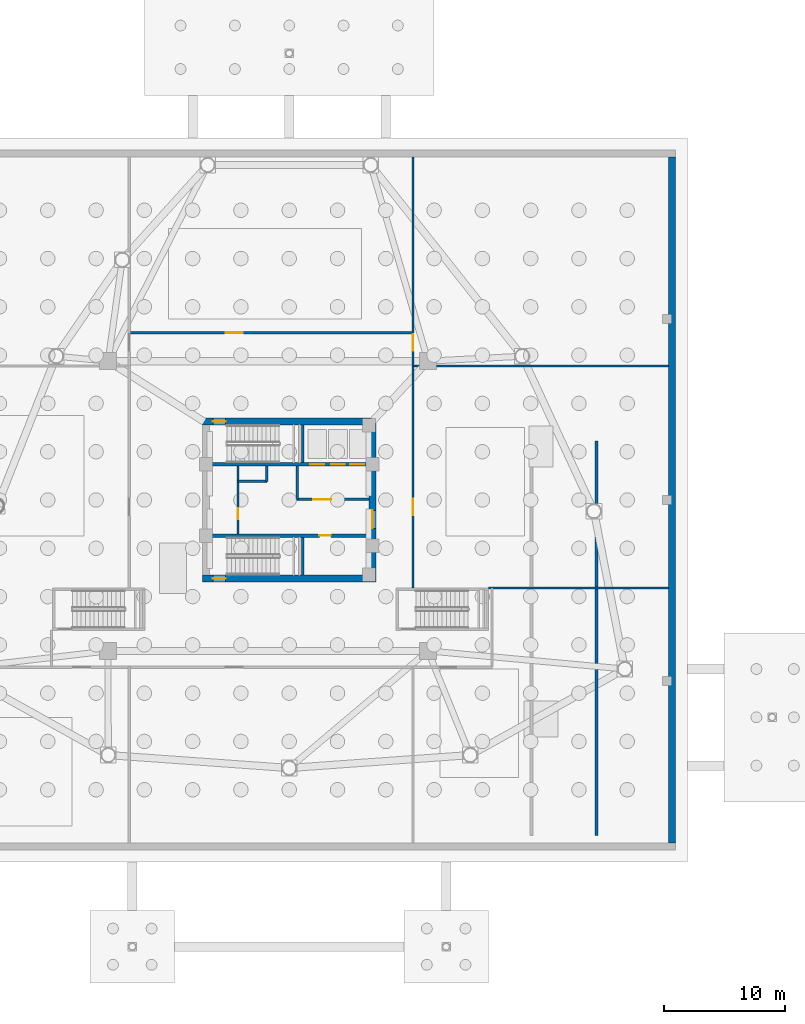
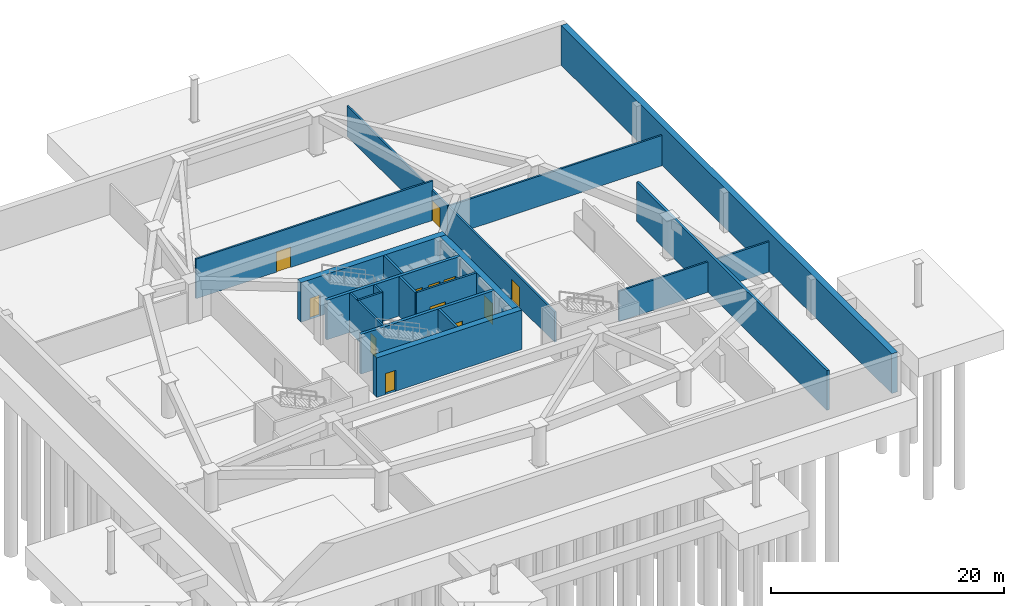
# One storey, part 7 of 11: 19 walls, 12 doors, 12 openings.
"""IFC4 building model written with IfcOpenShell, lengths in metres."""

from ifc_helpers import new_model, si_unit, direction, frame, frame_2d, origin, place, context, subcontext, project, spatial, rectangle, extrude, material, layer, layer_set, type_object, element, fill, save


model = new_model("IFC4")

# Units and contexts
model_context = context("Model", 3, precision=1e-05, world=origin(), true_north=direction((0.0, 1.0)))
body_context = subcontext(model_context, "Body", "Model", "MODEL_VIEW")
ifc_project = project(units=[si_unit("LENGTHUNIT", "METRE"), si_unit("AREAUNIT", "SQUARE_METRE"), si_unit("VOLUMEUNIT", "CUBIC_METRE"), si_unit("PLANEANGLEUNIT", "RADIAN"), si_unit("MASSUNIT", "GRAM", prefix="KILO")], contexts=[model_context])

# Site, building, storey
site_placement = place(None, origin())
site = spatial("IfcSite", under=ifc_project, at=site_placement, CompositionType="ELEMENT")
building_placement = place(site_placement, origin())
building = spatial("IfcBuilding", under=site, at=building_placement, Name="Tavelor Broadcast Tower", CompositionType="ELEMENT")
storey_placement = place(building_placement, frame((0.0, 0.0, -8.699951171875)))
storey = spatial("IfcBuildingStorey", under=building, at=storey_placement, Name="B02", CompositionType="ELEMENT", Elevation=-8.699951171875)

# Wall
ifc_material_1 = material(Name="Concrete C40/50", Category="concrete")
ifc_layer_1 = layer(ifc_material_1, 0.60009765625)
ifc_layer_set_1 = layer_set([ifc_layer_1], Name="Concrete C40/50")
wall_type_1 = type_object("IfcWallType", Name="Basement Retaining Wall 600 mm", PredefinedType="USERDEFINED", material=ifc_layer_set_1)
wall_1_placement = place(storey_placement, frame((81.699951171875, 16.60009765625, 0.0), z_axis=(0.0, 0.0, 1.0), x_axis=(0.0, 1.0, 0.0)))
element("IfcWall", 1, at=wall_1_placement, inside=storey, type_object=wall_type_1, Name="B02 Basement Retaining Wall E 600 mm", ObjectType="RETAINING WALL", PredefinedType="USERDEFINED", context=body_context, shape_type="SweptSolid", body=[
    extrude(rectangle(XDim=56.7998046875, YDim=0.60009765625, at=frame_2d((28.39990234375, 0.0))), origin(), (0.0, 0.0, 1.0), 4.14990234375),
])

# Wall, opening, door
ifc_material_2 = material(Name="Concrete C60/75", Category="concrete")
ifc_layer_2 = layer(ifc_material_2, 0.60009765625)
ifc_layer_set_2 = layer_set([ifc_layer_2], Name="Concrete C60/75")
wall_type_2 = type_object("IfcWallType", Name="Core Shear Wall 600 mm", PredefinedType="SHEAR", material=ifc_layer_set_2)
wall_2_placement = place(storey_placement, frame((42.800048828125, 51.5, 0.0), z_axis=(0.0, 0.0, 1.0), x_axis=(1.0, 0.0, 0.0)))
wall_2 = element("IfcWall", 2, at=wall_2_placement, inside=storey, type_object=wall_type_2, Name="B02 Central Core Shear Wall N", PredefinedType="SHEAR", context=body_context, shape_type="SweptSolid", body=[
    extrude(rectangle(XDim=14.39990234375, YDim=0.60009765625, at=frame_2d((7.199951171875, 0.0))), origin(), (0.0, 0.0, 1.0), 4.14990234375),
])
opening_1_placement = place(wall_2_placement, frame((0.8798828125, 0.0, 0.0)))
opening_1 = element("IfcOpeningElement", 3, at=opening_1_placement, cuts=wall_2, Name="Opening DR11", PredefinedType="OPENING", context=body_context, shape_type="SweptSolid", body=[
    extrude(rectangle(XDim=1.050048828125, YDim=2.199951171875, at=frame_2d((0.52490234375, 1.10009765625))), frame((0.0, 0.31005859375, 0.0), z_axis=(0.0, -1.0, 0.0), x_axis=(1.0, 0.0, 0.0)), (0.0, 0.0, 1.0), 0.6201171875),
])
ifc_material_3 = material(Name="Steel S355", Category="steel")
door_type_1 = type_object("IfcDoorType", Name="Stair Core Fire Escape Door 1050x2200", OperationType="NOTDEFINED", PredefinedType="DOOR", material=ifc_material_3)
door_1_placement = place(opening_1_placement, origin())
door_1 = element("IfcDoor", 4, at=door_1_placement, inside=storey, type_object=door_type_1, Name="B02 Stair ST1 Protected Exit Door", OperationType="SINGLE_SWING_LEFT", OverallHeight=2.199951171875, OverallWidth=1.050048828125, PredefinedType="DOOR", context=body_context, shape_type="SweptSolid", body=[
    extrude(rectangle(XDim=1.050048828125, YDim=2.199951171875, at=frame_2d((0.52490234375, 1.10009765625))), frame((0.0, 0.02490234375, 0.0), z_axis=(0.0, -1.0, 0.0), x_axis=(1.0, 0.0, 0.0)), (0.0, 0.0, 1.0), 0.050048828125),
])
fill(opening_1, door_1)

wall_3_placement = place(storey_placement, frame((42.800048828125, 38.5, 0.0), z_axis=(0.0, 0.0, 1.0), x_axis=(1.0, 0.0, 0.0)))
wall_3 = element("IfcWall", 5, at=wall_3_placement, inside=storey, type_object=wall_type_2, Name="B02 Central Core Shear Wall S", PredefinedType="SHEAR", context=body_context, shape_type="SweptSolid", body=[
    extrude(rectangle(XDim=14.39990234375, YDim=0.60009765625, at=frame_2d((7.199951171875, 0.0))), origin(), (0.0, 0.0, 1.0), 4.14990234375),
])
opening_2_placement = place(wall_3_placement, frame((0.8798828125, 0.0, 0.0)))
opening_2 = element("IfcOpeningElement", 6, at=opening_2_placement, cuts=wall_3, Name="Opening DR11", PredefinedType="OPENING", context=body_context, shape_type="SweptSolid", body=[
    extrude(rectangle(XDim=1.050048828125, YDim=2.199951171875, at=frame_2d((0.52490234375, 1.10009765625))), frame((0.0, 0.31005859375, 0.0), z_axis=(0.0, -1.0, 0.0), x_axis=(1.0, 0.0, 0.0)), (0.0, 0.0, 1.0), 0.6201171875),
])
door_2_placement = place(opening_2_placement, origin())
door_2 = element("IfcDoor", 7, at=door_2_placement, inside=storey, type_object=door_type_1, Name="B02 Stair ST2 Protected Exit Door", OperationType="SINGLE_SWING_RIGHT", OverallHeight=2.199951171875, OverallWidth=1.050048828125, PredefinedType="DOOR", context=body_context, shape_type="SweptSolid", body=[
    extrude(rectangle(XDim=1.050048828125, YDim=2.199951171875, at=frame_2d((0.52490234375, 1.10009765625))), frame((0.0, 0.02490234375, 0.0), z_axis=(0.0, -1.0, 0.0), x_axis=(1.0, 0.0, 0.0)), (0.0, 0.0, 1.0), 0.050048828125),
])
fill(opening_2, door_2)

wall_4_placement = place(storey_placement, frame((56.89990234375, 38.800048828125, 0.0), z_axis=(0.0, 0.0, 1.0), x_axis=(0.0, 1.0, 0.0)))
wall_4 = element("IfcWall", 8, at=wall_4_placement, inside=storey, type_object=wall_type_2, Name="B02 Central Core Shear Wall E", PredefinedType="SHEAR", context=body_context, shape_type="SweptSolid", body=[
    extrude(rectangle(XDim=12.39990234375, YDim=0.60009765625, at=frame_2d((6.199951171875, 0.0))), origin(), (0.0, 0.0, 1.0), 4.14990234375),
])
opening_3_placement = place(wall_4_placement, frame((3.85009765625, 0.0, 0.0)))
opening_3 = element("IfcOpeningElement", 9, at=opening_3_placement, cuts=wall_4, Name="Opening DR14", PredefinedType="OPENING", context=body_context, shape_type="SweptSolid", body=[
    extrude(rectangle(XDim=1.5, YDim=2.199951171875, at=frame_2d((0.75, 1.10009765625))), frame((0.0, 0.31005859375, 0.0), z_axis=(0.0, -1.0, 0.0), x_axis=(1.0, 0.0, 0.0)), (0.0, 0.0, 1.0), 0.6201171875),
])
door_type_2 = type_object("IfcDoorType", Name="Firefighting Lobby Double Fire Door 1500x2200", OperationType="NOTDEFINED", PredefinedType="DOOR", material=ifc_material_3)
door_3_placement = place(opening_3_placement, origin())
door_3 = element("IfcDoor", 10, at=door_3_placement, inside=storey, type_object=door_type_2, Name="B02 Central Core Lobby Fire Door", OperationType="SINGLE_SWING_RIGHT", OverallHeight=2.199951171875, OverallWidth=1.5, PredefinedType="DOOR", context=body_context, shape_type="SweptSolid", body=[
    extrude(rectangle(XDim=1.5, YDim=2.199951171875, at=frame_2d((0.75, 1.10009765625))), frame((0.0, 0.02490234375, 0.0), z_axis=(0.0, -1.0, 0.0), x_axis=(1.0, 0.0, 0.0)), (0.0, 0.0, 1.0), 0.050048828125),
])
fill(opening_3, door_3)

# Wall, openings, doors
ifc_layer_3 = layer(ifc_material_2, 0.300048828125)
ifc_layer_set_3 = layer_set([ifc_layer_3], Name="Concrete C60/75")
wall_type_3 = type_object("IfcWallType", Name="Core Spine Shear Wall 300 mm C60", PredefinedType="SHEAR", material=ifc_layer_set_3)
wall_5_placement = place(storey_placement, frame((43.39990234375, 47.949951171875, 0.0), z_axis=(0.0, 0.0, 1.0), x_axis=(1.0, 0.0, 0.0)))
wall_5 = element("IfcWall", 11, at=wall_5_placement, inside=storey, type_object=wall_type_3, Name="B02 Central Core Shear Wall SP1", PredefinedType="SHEAR", context=body_context, shape_type="SweptSolid", body=[
    extrude(rectangle(XDim=13.2001953125, YDim=0.300048828125, at=frame_2d((6.60009765625, 0.0))), origin(), (0.0, 0.0, 1.0), 4.14990234375),
])
opening_4_placement = place(wall_5_placement, frame((8.344970703125, 0.0, 0.0)))
opening_4 = element("IfcOpeningElement", 12, at=opening_4_placement, cuts=wall_5, Name="Opening LD02", PredefinedType="OPENING", context=body_context, shape_type="SweptSolid", body=[
    extrude(rectangle(XDim=1.14990234375, YDim=2.199951171875, at=frame_2d((0.574951171875, 1.10009765625))), frame((0.0, 0.16015625, 0.0), z_axis=(0.0, -1.0, 0.0), x_axis=(1.0, 0.0, 0.0)), (0.0, 0.0, 1.0), 0.320068359375),
])
opening_5_placement = place(wall_5_placement, frame((10.06494140625, 0.0, 0.0)))
opening_5 = element("IfcOpeningElement", 13, at=opening_5_placement, cuts=wall_5, Name="Opening LD02", PredefinedType="OPENING", context=body_context, shape_type="SweptSolid", body=[
    extrude(rectangle(XDim=1.14990234375, YDim=2.199951171875, at=frame_2d((0.574951171875, 1.10009765625))), frame((0.0, 0.16015625, 0.0), z_axis=(0.0, -1.0, 0.0), x_axis=(1.0, 0.0, 0.0)), (0.0, 0.0, 1.0), 0.320068359375),
])
opening_6_placement = place(wall_5_placement, frame((11.64501953125, 0.0, 0.0)))
opening_6 = element("IfcOpeningElement", 14, at=opening_6_placement, cuts=wall_5, Name="Opening LD03", PredefinedType="OPENING", context=body_context, shape_type="SweptSolid", body=[
    extrude(rectangle(XDim=1.14990234375, YDim=2.199951171875, at=frame_2d((0.574951171875, 1.10009765625))), frame((0.0, 0.16015625, 0.0), z_axis=(0.0, -1.0, 0.0), x_axis=(1.0, 0.0, 0.0)), (0.0, 0.0, 1.0), 0.320068359375),
])
ifc_material_4 = material(Name="Reinforced Brushed Stainless Steel", Category="concrete")
door_type_3 = type_object("IfcDoorType", Name="Broadcast Goods Lift Sliding Landing Door 1250x2200", OperationType="NOTDEFINED", PredefinedType="DOOR", material=ifc_material_4)
door_4_placement = place(opening_6_placement, origin())
door_4 = element("IfcDoor", 15, at=door_4_placement, inside=storey, type_object=door_type_3, Name="B02 Lift SVL1 Sliding Landing Door", OperationType="SLIDING_TO_LEFT", OverallHeight=2.199951171875, OverallWidth=1.14990234375, PredefinedType="DOOR", context=body_context, shape_type="SweptSolid", body=[
    extrude(rectangle(XDim=1.14990234375, YDim=2.199951171875, at=frame_2d((0.574951171875, 1.10009765625))), frame((0.0, 0.02490234375, 0.0), z_axis=(0.0, -1.0, 0.0), x_axis=(1.0, 0.0, 0.0)), (0.0, 0.0, 1.0), 0.050048828125),
])
fill(opening_6, door_4)
ifc_material_5 = material(Name="Fire-Rated Stainless Steel", Category="steel")
door_type_4 = type_object("IfcDoorType", Name="Firefighting Lift Sliding Landing Door 1200x2200", OperationType="NOTDEFINED", PredefinedType="DOOR", material=ifc_material_5)
door_5_placement = place(opening_4_placement, origin())
door_5 = element("IfcDoor", 16, at=door_5_placement, inside=storey, type_object=door_type_4, Name="B02 Lift FFL1 Sliding Landing Door", OperationType="SLIDING_TO_LEFT", OverallHeight=2.199951171875, OverallWidth=1.14990234375, PredefinedType="DOOR", context=body_context, shape_type="SweptSolid", body=[
    extrude(rectangle(XDim=1.14990234375, YDim=2.199951171875, at=frame_2d((0.574951171875, 1.10009765625))), frame((0.0, 0.02490234375, 0.0), z_axis=(0.0, -1.0, 0.0), x_axis=(1.0, 0.0, 0.0)), (0.0, 0.0, 1.0), 0.050048828125),
])
fill(opening_4, door_5)
door_6_placement = place(opening_5_placement, origin())
door_6 = element("IfcDoor", 17, at=door_6_placement, inside=storey, type_object=door_type_4, Name="B02 Lift FFL2 Sliding Landing Door", OperationType="SLIDING_TO_LEFT", OverallHeight=2.199951171875, OverallWidth=1.14990234375, PredefinedType="DOOR", context=body_context, shape_type="SweptSolid", body=[
    extrude(rectangle(XDim=1.14990234375, YDim=2.199951171875, at=frame_2d((0.574951171875, 1.10009765625))), frame((0.0, 0.02490234375, 0.0), z_axis=(0.0, -1.0, 0.0), x_axis=(1.0, 0.0, 0.0)), (0.0, 0.0, 1.0), 0.050048828125),
])
fill(opening_5, door_6)

# Wall, opening, door
wall_6_placement = place(storey_placement, frame((43.39990234375, 42.050048828125, 0.0), z_axis=(0.0, 0.0, 1.0), x_axis=(1.0, 0.0, 0.0)))
wall_6 = element("IfcWall", 18, at=wall_6_placement, inside=storey, type_object=wall_type_3, Name="B02 Central Core Shear Wall SP2", PredefinedType="SHEAR", context=body_context, shape_type="SweptSolid", body=[
    extrude(rectangle(XDim=13.2001953125, YDim=0.300048828125, at=frame_2d((6.60009765625, 0.0))), origin(), (0.0, 0.0, 1.0), 4.14990234375),
])
opening_7_placement = place(wall_6_placement, frame((9.10009765625, 0.0, 0.0)))
opening_7 = element("IfcOpeningElement", 19, at=opening_7_placement, cuts=wall_6, Name="Opening DR18", PredefinedType="OPENING", context=body_context, shape_type="SweptSolid", body=[
    extrude(rectangle(XDim=0.949951171875, YDim=2.050048828125, at=frame_2d((0.47509765625, 1.02490234375))), frame((0.0, 0.16015625, 0.0), z_axis=(0.0, -1.0, 0.0), x_axis=(1.0, 0.0, 0.0)), (0.0, 0.0, 1.0), 0.320068359375),
])
ifc_material_6 = material(Name="Timber Solid Core Hardwood", Category="wood")
door_type_5 = type_object("IfcDoorType", Name="Corridor Rated Compartment Door 950x2050", OperationType="NOTDEFINED", PredefinedType="DOOR", material=ifc_material_6)
door_7_placement = place(opening_7_placement, origin())
door_7 = element("IfcDoor", 20, at=door_7_placement, inside=storey, type_object=door_type_5, Name="B02 Reclaimed South Core Plant Door", OperationType="SINGLE_SWING_RIGHT", OverallHeight=2.050048828125, OverallWidth=0.949951171875, PredefinedType="DOOR", context=body_context, shape_type="SweptSolid", body=[
    extrude(rectangle(XDim=0.949951171875, YDim=2.050048828125, at=frame_2d((0.47509765625, 1.02490234375))), frame((0.0, 0.02490234375, 0.0), z_axis=(0.0, -1.0, 0.0), x_axis=(1.0, 0.0, 0.0)), (0.0, 0.0, 1.0), 0.050048828125),
])
fill(opening_7, door_7)

ifc_material_7 = material(Name="Calcium Silicate Fire Board 180 mm", Category="gypsum")
ifc_layer_4 = layer(ifc_material_7, 0.179931640625)
ifc_layer_set_4 = layer_set([ifc_layer_4], Name="Calcium Silicate Fire Board 180 mm")
wall_type_4 = type_object("IfcWallType", Name="Fire-Rated Corridor Partition Wall 180 mm", PredefinedType="PARTITIONING", material=ifc_layer_set_4)
wall_7_placement = place(storey_placement, frame((45.75, 42.199951171875, 0.0), z_axis=(0.0, 0.0, 1.0), x_axis=(0.0, 1.0, 0.0)))
wall_7 = element("IfcWall", 21, at=wall_7_placement, inside=storey, type_object=wall_type_4, Name="B02 Core West Service East Wall", PredefinedType="PARTITIONING", context=body_context, shape_type="SweptSolid", body=[
    extrude(rectangle(XDim=5.60009765625, YDim=0.179931640625, at=frame_2d((2.800048828125, 0.0))), origin(), (0.0, 0.0, 1.0), 4.14990234375),
])
opening_8_placement = place(wall_7_placement, frame((1.199951171875, 0.0, 0.0)))
opening_8 = element("IfcOpeningElement", 22, at=opening_8_placement, cuts=wall_7, Name="Opening DR32", PredefinedType="OPENING", context=body_context, shape_type="SweptSolid", body=[
    extrude(rectangle(XDim=0.89990234375, YDim=2.050048828125, at=frame_2d((0.449951171875, 1.02490234375))), frame((0.0, 0.10009765625, 0.0), z_axis=(0.0, -1.0, 0.0), x_axis=(1.0, 0.0, 0.0)), (0.0, 0.0, 1.0), 0.199951171875),
])
door_type_6 = type_object("IfcDoorType", Name="Accessible Washroom Door 900x2050", OperationType="NOTDEFINED", PredefinedType="DOOR", material=ifc_material_6)
door_8_placement = place(opening_8_placement, origin())
door_8 = element("IfcDoor", 23, at=door_8_placement, inside=storey, type_object=door_type_6, Name="B02 Core Plant Room Door", OperationType="SINGLE_SWING_LEFT", OverallHeight=2.050048828125, OverallWidth=0.89990234375, PredefinedType="DOOR", context=body_context, shape_type="SweptSolid", body=[
    extrude(rectangle(XDim=0.89990234375, YDim=2.050048828125, at=frame_2d((0.449951171875, 1.02490234375))), frame((0.0, 0.02490234375, 0.0), z_axis=(0.0, -1.0, 0.0), x_axis=(1.0, 0.0, 0.0)), (0.0, 0.0, 1.0), 0.050048828125),
])
fill(opening_8, door_8)

# Wall
wall_8_placement = place(storey_placement, frame((66.52001953125, 37.719970703125, 0.0), z_axis=(0.0, 0.0, 1.0), x_axis=(1.0, 0.0, 0.0)))
element("IfcWall", 24, at=wall_8_placement, inside=storey, type_object=wall_type_4, Name="B02 Substation North Compartment Wall", PredefinedType="PARTITIONING", context=body_context, shape_type="SweptSolid", body=[
    extrude(rectangle(XDim=14.8798828125, YDim=0.179931640625, at=frame_2d((7.43994140625, 0.0))), origin(), (0.0, 0.0, 1.0), 3.175048828125),
])

# Wall, opening, door
wall_9_placement = place(storey_placement, frame((60.25, 37.719970703125, 0.0), z_axis=(0.0, 0.0, 1.0), x_axis=(0.0, 1.0, 0.0)))
wall_9 = element("IfcWall", 25, at=wall_9_placement, inside=storey, type_object=wall_type_4, Name="B02 Generator Hall West Wall", PredefinedType="PARTITIONING", context=body_context, shape_type="SweptSolid", body=[
    extrude(rectangle(XDim=18.380126953125, YDim=0.179931640625, at=frame_2d((9.18994140625, 0.0))), origin(), (0.0, 0.0, 1.0), 3.175048828125),
])
opening_9_placement = place(wall_9_placement, frame((6.0, 0.0, 0.0)))
opening_9 = element("IfcOpeningElement", 26, at=opening_9_placement, cuts=wall_9, Name="Opening DR41", PredefinedType="OPENING", context=body_context, shape_type="SweptSolid", body=[
    extrude(rectangle(XDim=1.39990234375, YDim=2.14990234375, at=frame_2d((0.699951171875, 1.074951171875))), frame((0.0, 0.10009765625, 0.0), z_axis=(0.0, -1.0, 0.0), x_axis=(1.0, 0.0, 0.0)), (0.0, 0.0, 1.0), 0.199951171875),
])
door_type_7 = type_object("IfcDoorType", Name="Plant Room Double Fire Door 1400x2150", OperationType="NOTDEFINED", PredefinedType="DOOR", material=ifc_material_3)
door_9_placement = place(opening_9_placement, origin())
door_9 = element("IfcDoor", 27, at=door_9_placement, inside=storey, type_object=door_type_7, Name="B02 Diesel Generator Hall Fire Door", OperationType="SINGLE_SWING_RIGHT", OverallHeight=2.14990234375, OverallWidth=1.39990234375, PredefinedType="DOOR", context=body_context, shape_type="SweptSolid", body=[
    extrude(rectangle(XDim=1.39990234375, YDim=2.14990234375, at=frame_2d((0.699951171875, 1.074951171875))), frame((0.0, 0.02490234375, 0.0), z_axis=(0.0, -1.0, 0.0), x_axis=(1.0, 0.0, 0.0)), (0.0, 0.0, 1.0), 0.050048828125),
])
fill(opening_9, door_9)

# Wall
wall_10_placement = place(storey_placement, frame((60.25, 56.10009765625, 0.0), z_axis=(0.0, 0.0, 1.0), x_axis=(1.0, 0.0, 0.0)))
element("IfcWall", 28, at=wall_10_placement, inside=storey, type_object=wall_type_4, Name="B02 East Plant Compartment Wall", PredefinedType="PARTITIONING", context=body_context, shape_type="SweptSolid", body=[
    extrude(rectangle(XDim=21.14990234375, YDim=0.179931640625, at=frame_2d((10.574951171875, 0.0))), origin(), (0.0, 0.0, 1.0), 3.175048828125),
])

# Wall, opening, door
wall_11_placement = place(storey_placement, frame((60.25, 56.10009765625, 0.0), z_axis=(0.0, 0.0, 1.0), x_axis=(0.0, 1.0, 0.0)))
wall_11 = element("IfcWall", 29, at=wall_11_placement, inside=storey, type_object=wall_type_4, Name="B02 Master UPS Plant West Wall", PredefinedType="PARTITIONING", context=body_context, shape_type="SweptSolid", body=[
    extrude(rectangle(XDim=17.2998046875, YDim=0.179931640625, at=frame_2d((8.64990234375, 0.0))), origin(), (0.0, 0.0, 1.0), 3.175048828125),
])
opening_10_placement = place(wall_11_placement, frame((1.25, 0.0, 0.0)))
opening_10 = element("IfcOpeningElement", 30, at=opening_10_placement, cuts=wall_11, Name="Opening DR41", PredefinedType="OPENING", context=body_context, shape_type="SweptSolid", body=[
    extrude(rectangle(XDim=1.39990234375, YDim=2.14990234375, at=frame_2d((0.699951171875, 1.074951171875))), frame((0.0, 0.10009765625, 0.0), z_axis=(0.0, -1.0, 0.0), x_axis=(1.0, 0.0, 0.0)), (0.0, 0.0, 1.0), 0.199951171875),
])
door_10_placement = place(opening_10_placement, origin())
door_10 = element("IfcDoor", 31, at=door_10_placement, inside=storey, type_object=door_type_7, Name="B02 Broadcast Master UPS Plant Fire Door", OperationType="SINGLE_SWING_LEFT", OverallHeight=2.14990234375, OverallWidth=1.39990234375, PredefinedType="DOOR", context=body_context, shape_type="SweptSolid", body=[
    extrude(rectangle(XDim=1.39990234375, YDim=2.14990234375, at=frame_2d((0.699951171875, 1.074951171875))), frame((0.0, 0.02490234375, 0.0), z_axis=(0.0, -1.0, 0.0), x_axis=(1.0, 0.0, 0.0)), (0.0, 0.0, 1.0), 0.050048828125),
])
fill(opening_10, door_10)

wall_12_placement = place(storey_placement, frame((36.75, 58.85009765625, 0.0), z_axis=(0.0, 0.0, 1.0), x_axis=(1.0, 0.0, 0.0)))
wall_12 = element("IfcWall", 32, at=wall_12_placement, inside=storey, type_object=wall_type_4, Name="B02 Mechanical Store South Wall", PredefinedType="PARTITIONING", context=body_context, shape_type="SweptSolid", body=[
    extrude(rectangle(XDim=23.5, YDim=0.179931640625, at=frame_2d((11.75, 0.0))), origin(), (0.0, 0.0, 1.0), 4.14990234375),
])
opening_11_placement = place(wall_12_placement, frame((8.0, 0.0, 0.0)))
opening_11 = element("IfcOpeningElement", 33, at=opening_11_placement, cuts=wall_12, Name="Opening DR41", PredefinedType="OPENING", context=body_context, shape_type="SweptSolid", body=[
    extrude(rectangle(XDim=1.39990234375, YDim=2.14990234375, at=frame_2d((0.699951171875, 1.074951171875))), frame((0.0, 0.10009765625, 0.0), z_axis=(0.0, -1.0, 0.0), x_axis=(1.0, 0.0, 0.0)), (0.0, 0.0, 1.0), 0.199951171875),
])
door_11_placement = place(opening_11_placement, origin())
door_11 = element("IfcDoor", 34, at=door_11_placement, inside=storey, type_object=door_type_7, Name="B02 Mechanical Spare Parts Store Fire Door", OperationType="SINGLE_SWING_LEFT", OverallHeight=2.14990234375, OverallWidth=1.39990234375, PredefinedType="DOOR", context=body_context, shape_type="SweptSolid", body=[
    extrude(rectangle(XDim=1.39990234375, YDim=2.14990234375, at=frame_2d((0.699951171875, 1.074951171875))), frame((0.0, 0.02490234375, 0.0), z_axis=(0.0, -1.0, 0.0), x_axis=(1.0, 0.0, 0.0)), (0.0, 0.0, 1.0), 0.050048828125),
])
fill(opening_11, door_11)

# Walls
ifc_material_8 = material(Name="Concrete Blockwork 200 mm", Category="masonry")
ifc_layer_5 = layer(ifc_material_8, 0.199951171875)
ifc_layer_set_5 = layer_set([ifc_layer_5], Name="Concrete Blockwork 200 mm")
wall_type_5 = type_object("IfcWallType", Name="Lift and Riser Shaft Enclosure Wall 200 mm", PredefinedType="PARTITIONING", material=ifc_layer_set_5)
wall_13_placement = place(storey_placement, frame((45.75, 46.550048828125, 0.0), z_axis=(0.0, 0.0, 1.0), x_axis=(1.0, 0.0, 0.0)))
element("IfcWall", 35, at=wall_13_placement, inside=storey, type_object=wall_type_5, Name="B02 Riser Shaft South Wall", PredefinedType="PARTITIONING", context=body_context, shape_type="SweptSolid", body=[
    extrude(rectangle(XDim=2.39990234375, YDim=0.199951171875, at=frame_2d((1.199951171875, 0.0))), origin(), (0.0, 0.0, 1.0), 4.14990234375),
])
wall_14_placement = place(storey_placement, frame((48.14990234375, 46.550048828125, 0.0), z_axis=(0.0, 0.0, 1.0), x_axis=(0.0, 1.0, 0.0)))
element("IfcWall", 36, at=wall_14_placement, inside=storey, type_object=wall_type_5, Name="B02 Riser Shaft East Wall", PredefinedType="PARTITIONING", context=body_context, shape_type="SweptSolid", body=[
    extrude(rectangle(XDim=1.25, YDim=0.199951171875, at=frame_2d((0.625, 0.0))), origin(), (0.0, 0.0, 1.0), 4.14990234375),
])

# Wall, opening, door
wall_15_placement = place(storey_placement, frame((50.64990234375, 45.050048828125, 0.0), z_axis=(0.0, 0.0, 1.0), x_axis=(1.0, 0.0, 0.0)))
wall_15 = element("IfcWall", 37, at=wall_15_placement, inside=storey, type_object=wall_type_5, Name="B02 Firefighting Lobby South Wall", PredefinedType="PARTITIONING", context=body_context, shape_type="SweptSolid", body=[
    extrude(rectangle(XDim=5.9501953125, YDim=0.199951171875, at=frame_2d((2.97509765625, 0.0))), origin(), (0.0, 0.0, 1.0), 4.14990234375),
])
opening_12_placement = place(wall_15_placement, frame((1.35009765625, 0.0, 0.0)))
opening_12 = element("IfcOpeningElement", 38, at=opening_12_placement, cuts=wall_15, Name="Opening DR14", PredefinedType="OPENING", context=body_context, shape_type="SweptSolid", body=[
    extrude(rectangle(XDim=1.5, YDim=2.199951171875, at=frame_2d((0.75, 1.10009765625))), frame((0.0, 0.10986328125, 0.0), z_axis=(0.0, -1.0, 0.0), x_axis=(1.0, 0.0, 0.0)), (0.0, 0.0, 1.0), 0.219970703125),
])
door_12_placement = place(opening_12_placement, origin())
door_12 = element("IfcDoor", 39, at=door_12_placement, inside=storey, type_object=door_type_2, Name="B02 Firefighting Lobby Compartment Door", OperationType="SINGLE_SWING_LEFT", OverallHeight=2.199951171875, OverallWidth=1.5, PredefinedType="DOOR", context=body_context, shape_type="SweptSolid", body=[
    extrude(rectangle(XDim=1.5, YDim=2.199951171875, at=frame_2d((0.75, 1.10009765625))), frame((0.0, 0.02490234375, 0.0), z_axis=(0.0, -1.0, 0.0), x_axis=(1.0, 0.0, 0.0)), (0.0, 0.0, 1.0), 0.050048828125),
])
fill(opening_12, door_12)

# Walls
wall_16_placement = place(storey_placement, frame((50.64990234375, 45.050048828125, 0.0), z_axis=(0.0, 0.0, 1.0), x_axis=(0.0, 1.0, 0.0)))
element("IfcWall", 40, at=wall_16_placement, inside=storey, type_object=wall_type_5, Name="B02 Firefighting Lobby West Wall", PredefinedType="PARTITIONING", context=body_context, shape_type="SweptSolid", body=[
    extrude(rectangle(XDim=2.75, YDim=0.199951171875, at=frame_2d((1.375, 0.0))), origin(), (0.0, 0.0, 1.0), 4.14990234375),
])
ifc_layer_6 = layer(ifc_material_1, 0.219970703125)
ifc_layer_set_6 = layer_set([ifc_layer_6], Name="Concrete C40/50")
wall_type_6 = type_object("IfcWallType", Name="Structural Stairwell Shear Wall 220 mm", PredefinedType="SHEAR", material=ifc_layer_set_6)
for number, where, z_axis, x_axis, name in (
    (41, (51.110107421875, 48.10009765625, 0.0), (0.0, 0.0, 1.0), (0.0, 1.0, 0.0), "B02 Stair ST1 Structural Shaft Wall"),
    (42, (51.110107421875, 38.800048828125, 0.0), (0.0, 0.0, 1.0), (0.0, 1.0, 0.0), "B02 Stair ST2 Structural Shaft Wall"),
):
    element("IfcWall", number, at=place(storey_placement, frame(where, z_axis=z_axis, x_axis=x_axis)), inside=storey, type_object=wall_type_6, Name=name, PredefinedType="SHEAR", context=body_context, shape_type="SweptSolid", body=[
        extrude(rectangle(XDim=3.099853515625, YDim=0.219970703125, at=frame_2d((1.5498046875, 0.0))), origin(), (0.0, 0.0, 1.0), 4.14990234375),
    ])
ifc_layer_7 = layer(ifc_material_1, 0.239990234375)
ifc_layer_set_7 = layer_set([ifc_layer_7], Name="Concrete C40/50")
wall_type_7 = type_object("IfcWallType", Name="Vehicle Ramp Structural Support Wall 240 mm", PredefinedType="SHEAR", material=ifc_layer_set_7)
wall_17_placement = place(storey_placement, frame((75.43994140625, 17.199951171875, 0.0), z_axis=(0.0, 0.0, 1.0), x_axis=(0.0, 1.0, 0.0)))
element("IfcWall", 43, at=wall_17_placement, inside=storey, type_object=wall_type_7, Name="B02 Vehicle Ramp Structural Support Wall E", PredefinedType="SHEAR", context=body_context, shape_type="SweptSolid", body=[
    extrude(rectangle(XDim=32.679931640625, YDim=0.239990234375, at=frame_2d((16.33984375, 0.0))), origin(), (0.0, 0.0, 1.0), 4.14990234375),
])

save(model, "model.ifc")
